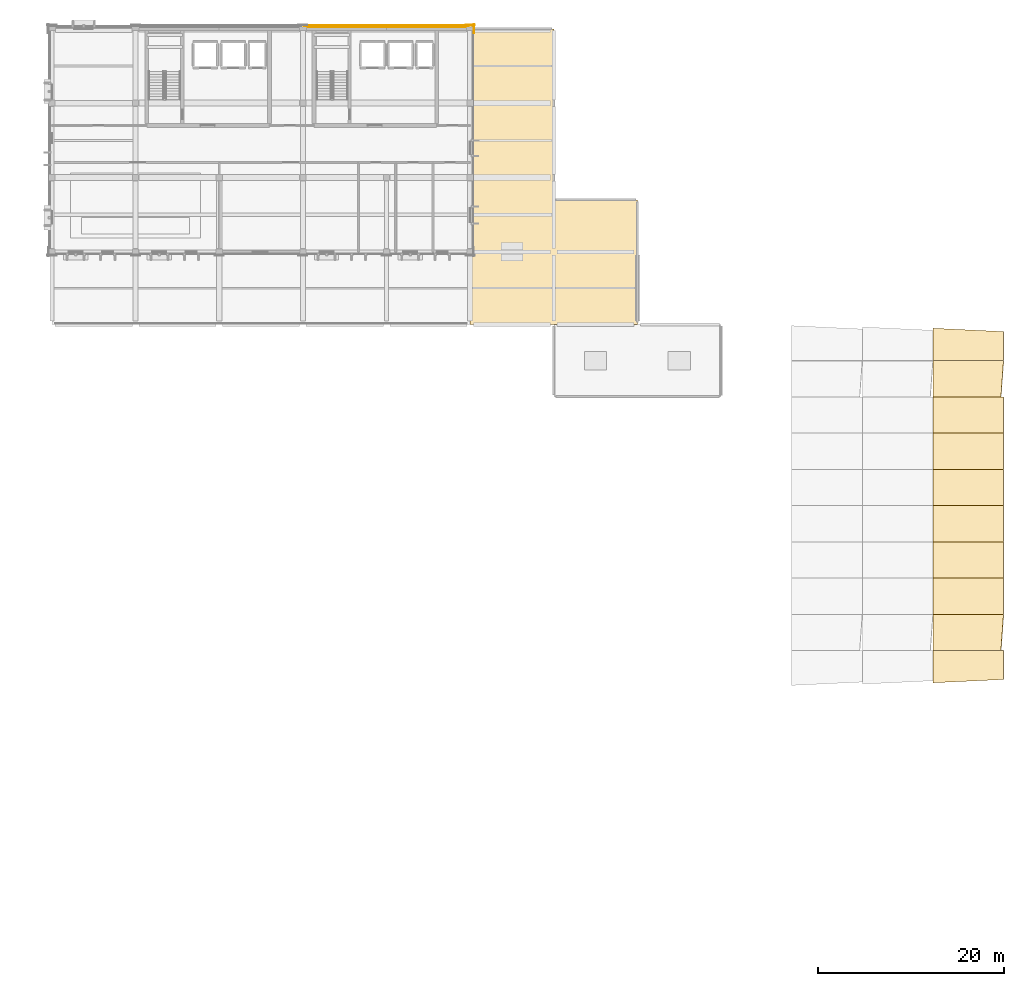
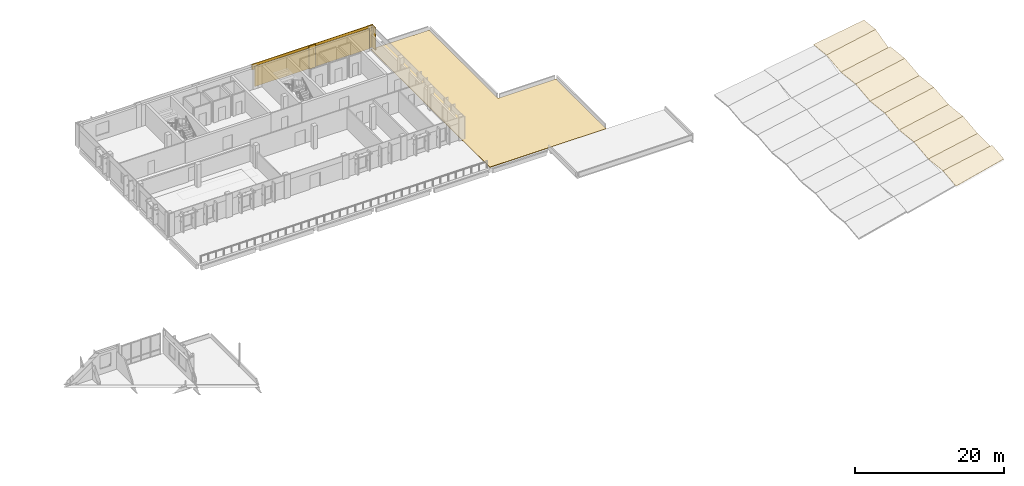
# One storey, part 23 of 23: 18 coverings.
"""IFC4 building model written with IfcOpenShell, lengths in metres."""

from ifc_helpers import new_model, si_unit, direction, frame, origin, origin_2d, place, context, subcontext, project, spatial, polyline, rectangle, outline, extrude, material, layer, layer_set, type_object, element, save


model = new_model("IFC4")

# Units and contexts
model_context = context("Model", 3, precision=1e-05, world=origin(), true_north=direction((0.0, 1.0)))
body_context = subcontext(model_context, "Body", "Model", "MODEL_VIEW")
ifc_project = project(units=[si_unit("LENGTHUNIT", "METRE"), si_unit("AREAUNIT", "SQUARE_METRE"), si_unit("VOLUMEUNIT", "CUBIC_METRE"), si_unit("PLANEANGLEUNIT", "RADIAN"), si_unit("MASSUNIT", "GRAM", prefix="KILO")], contexts=[model_context])

# Site, building, storey
site_placement = place(None, origin())
site = spatial("IfcSite", under=ifc_project, at=site_placement, CompositionType="ELEMENT")
building_placement = place(site_placement, origin())
building = spatial("IfcBuilding", under=site, at=building_placement, Name="Vervanel Yard Central Library", CompositionType="ELEMENT")
storey_placement = place(building_placement, frame((0.0, 0.0, 16.52001953125)))
storey = spatial("IfcBuildingStorey", under=building, at=storey_placement, Name="L04", CompositionType="ELEMENT", Elevation=16.52001953125)

# Coverings
ifc_material_1 = material(Name="Precast concrete C45/55", Category="concrete")
ifc_layer_1 = layer(ifc_material_1, 0.0849609375, Category="concrete")
ifc_layer_set_1 = layer_set([ifc_layer_1], Name="Precast concrete C45/55")
covering_type_1 = type_object("IfcCoveringType", Name="Bush-Hammered Precast Architectural Cladding Panel", PredefinedType="CLADDING", material=ifc_layer_set_1)
covering_1_placement = place(storey_placement, frame((67.5, 114.364990234375, 2.840087890625), z_axis=(0.0, 0.0, 1.0), x_axis=(1.0, 0.0, 0.0)))
element("IfcCovering", 1, at=covering_1_placement, inside=storey, type_object=covering_type_1, Name="L04 Precast Concrete Spandrel Cornice EWALL-L04-0063", PredefinedType="CLADDING", context=body_context, shape_type="SweptSolid", body=[
    extrude(rectangle(XDim=9.449951171875, YDim=0.0849609375, at=origin_2d()), origin(), (0.0, 0.0, 1.0), 0.919921875),
])
covering_2_placement = place(storey_placement, frame((72.0, 114.232421875, 0.0), z_axis=(0.0, 0.0, 1.0), x_axis=(1.0, 0.0, 0.0)))
element("IfcCovering", 2, at=covering_2_placement, inside=storey, type_object=covering_type_1, Name="L04 Precast Concrete Pier Pilaster EWALL-L04-0063-B", PredefinedType="CLADDING", context=body_context, shape_type="SweptSolid", body=[
    extrude(rectangle(XDim=0.97998046875, YDim=0.0849609375, at=origin_2d()), origin(), (0.0, 0.0, 1.0), 3.760009765625),
])
covering_3_placement = place(storey_placement, frame((67.5, 114.232421875, 0.080078125), z_axis=(0.0, 0.0, 1.0), x_axis=(1.0, 0.0, 0.0)))
element("IfcCovering", 3, at=covering_3_placement, inside=storey, type_object=covering_type_1, Name="L04 Bush-Hammered Precast Cladding EWALL-L04-0063", PredefinedType="CLADDING", context=body_context, shape_type="SweptSolid", body=[
    extrude(rectangle(XDim=8.699951171875, YDim=0.0849609375, at=origin_2d()), origin(), (0.0, 0.0, 1.0), 3.300048828125),
])
covering_4_placement = place(storey_placement, frame((76.5, 114.364990234375, 2.840087890625), z_axis=(0.0, 0.0, 1.0), x_axis=(1.0, 0.0, 0.0)))
element("IfcCovering", 4, at=covering_4_placement, inside=storey, type_object=covering_type_1, Name="L04 Precast Concrete Spandrel Cornice EWALL-L04-0064", PredefinedType="CLADDING", context=body_context, shape_type="SweptSolid", body=[
    extrude(rectangle(XDim=9.449951171875, YDim=0.0849609375, at=origin_2d()), origin(), (0.0, 0.0, 1.0), 0.919921875),
])
covering_5_placement = place(storey_placement, frame((81.0, 114.41748046875, 0.0), z_axis=(0.0, 0.0, 1.0), x_axis=(1.0, 0.0, 0.0)))
element("IfcCovering", 5, at=covering_5_placement, inside=storey, type_object=covering_type_1, Name="L04 Precast Concrete Pier Pilaster EWALL-L04-0064-B", PredefinedType="CLADDING", context=body_context, shape_type="SweptSolid", body=[
    extrude(rectangle(XDim=0.97998046875, YDim=0.0849609375, at=origin_2d()), origin(), (0.0, 0.0, 1.0), 3.760009765625),
])
covering_6_placement = place(storey_placement, frame((76.5, 114.232421875, 0.080078125), z_axis=(0.0, 0.0, 1.0), x_axis=(1.0, 0.0, 0.0)))
element("IfcCovering", 6, at=covering_6_placement, inside=storey, type_object=covering_type_1, Name="L04 Bush-Hammered Precast Cladding EWALL-L04-0064", PredefinedType="CLADDING", context=body_context, shape_type="SweptSolid", body=[
    extrude(rectangle(XDim=8.699951171875, YDim=0.0849609375, at=origin_2d()), origin(), (0.0, 0.0, 1.0), 3.300048828125),
])
covering_7_placement = place(storey_placement, frame((81.41748046875, 114.0, 0.0), z_axis=(0.0, 0.0, 1.0), x_axis=(0.0, 1.0, 0.0)))
element("IfcCovering", 7, at=covering_7_placement, inside=storey, type_object=covering_type_1, Name="L04 Precast Concrete Pier Pilaster EWALL-L04-0071-B", PredefinedType="CLADDING", context=body_context, shape_type="SweptSolid", body=[
    extrude(rectangle(XDim=0.97998046875, YDim=0.0849609375, at=origin_2d()), origin(), (0.0, 0.0, 1.0), 3.760009765625),
])
ifc_material_2 = material(Name="Standing-seam dark zinc-coated metal roofing", Category="metal")
ifc_layer_2 = layer(ifc_material_2, 0.06494140625, Category="metal")
ifc_layer_set_2 = layer_set([ifc_layer_2], Name="Standing-seam dark zinc-coated metal roofing")
covering_type_2 = type_object("IfcCoveringType", Name="Standing-Seam Dark Zinc Roof Assembly", PredefinedType="ROOFING", material=ifc_layer_set_2)
covering_8_placement = place(storey_placement, origin())
element("IfcCovering", 8, at=covering_8_placement, inside=storey, type_object=covering_type_2, Name="L04 Roof Covering ROOF-L04-V1E", PredefinedType="ROOFING", context=body_context, shape_type="SweptSolid", body=[
    extrude(outline(polyline([(81.0, 82.199951171875), (99.0, 82.199951171875), (99.0, 95.60009765625), (90.0, 95.60009765625), (90.0, 114.0), (81.0, 114.0), (81.0, 82.199951171875)])), origin(), (0.0, 0.0, 1.0), 0.06494140625),
])
covering_9_placement = place(storey_placement, frame((130.800048828125, 43.6201171875, 2.9462890625), z_axis=(-0.194578944377, -0.109361594123, 0.974771294272), x_axis=(0.978589149552, 0.046336942438, 0.20053968222)))
element("IfcCovering", 9, at=covering_9_placement, inside=storey, type_object=covering_type_2, Name="Standing-Seam Zinc Roofing V3-FS-B4-S01", PredefinedType="ROOFING", context=body_context, shape_type="SweptSolid", body=[
    extrude(outline(polyline([(0.0, 0.0), (7.766124248641188, 8.326672684688674e-17), (7.980909411888833, 3.1323420892909484), (0.23953850815000102, 3.4936059565170416), (0.0, 0.0)])), origin(), (0.0, 0.0, -1.0), 0.06494140625),
])
covering_10_placement = place(storey_placement, frame((130.800048828125, 47.10009765625, 3.336669921875), z_axis=(-0.194581294514, 0.10934495259, 0.974772692051), x_axis=(0.980652828841, 4.16256e-07, 0.195755023653)))
element("IfcCovering", 10, at=covering_10_placement, inside=storey, type_object=covering_type_2, Name="Standing-Seam Zinc Roofing V3-FS-B4-S02", PredefinedType="ROOFING", context=body_context, shape_type="SweptSolid", body=[
    extrude(outline(polyline([(0.0, 0.0), (7.464479390554649, 2.7755575615628914e-17), (7.664154607633423, 3.923424541234858), (-0.08564119949072557, 3.9234309124704962), (0.0, 0.0)])), origin(), (0.0, 0.0, -1.0), 0.06494140625),
])
covering_11_placement = place(storey_placement, frame((130.800048828125, 51.0, 2.899169921875), z_axis=(-0.194584736914, -0.109352072213, 0.974771206213), x_axis=(0.980652097773, 0.0, 0.19575868597)))
element("IfcCovering", 11, at=covering_11_placement, inside=storey, type_object=covering_type_2, Name="Standing-Seam Zinc Roofing V3-FS-B4-S03", PredefinedType="ROOFING", context=body_context, shape_type="SweptSolid", body=[
    extrude(outline(polyline([(0.0, 0.0), (7.749795807178863, 0.0), (7.835440232290786, 3.9234308421627606), (0.08564442511192301, 3.9234308421627606), (0.0, 0.0)])), origin(), (0.0, 0.0, -1.0), 0.06494140625),
])
covering_12_placement = place(storey_placement, frame((130.800048828125, 54.89990234375, 3.336669921875), z_axis=(-0.194584882564, 0.10934530886, 0.974771935843), x_axis=(0.980652097773, 0.0, 0.19575868597)))
element("IfcCovering", 12, at=covering_12_placement, inside=storey, type_object=covering_type_2, Name="Standing-Seam Zinc Roofing V3-FS-B4-S04", PredefinedType="ROOFING", context=body_context, shape_type="SweptSolid", body=[
    extrude(outline(polyline([(0.0, 0.0), (7.749795807178863, 0.0), (7.664151382066939, 3.923673518786944), (-0.08564442511192301, 3.923673518786944), (0.0, 0.0)])), origin(), (0.0, 0.0, -1.0), 0.06494140625),
])
covering_13_placement = place(storey_placement, frame((130.800048828125, 58.800048828125, 2.899169921875), z_axis=(-0.194584736914, -0.109352072213, 0.974771206213), x_axis=(0.980652097773, 0.0, 0.19575868597)))
element("IfcCovering", 13, at=covering_13_placement, inside=storey, type_object=covering_type_2, Name="Standing-Seam Zinc Roofing V3-FS-B4-S05", PredefinedType="ROOFING", context=body_context, shape_type="SweptSolid", body=[
    extrude(outline(polyline([(0.0, 0.0), (7.749795807178863, 0.0), (7.835440232290786, 3.9234308421627606), (0.08564442511192301, 3.9234308421627606), (0.0, 0.0)])), origin(), (0.0, 0.0, -1.0), 0.06494140625),
])
covering_14_placement = place(storey_placement, frame((130.800048828125, 62.699951171875, 3.336669921875), z_axis=(-0.194584882564, 0.10934530886, 0.974771935843), x_axis=(0.980652097773, 0.0, 0.19575868597)))
element("IfcCovering", 14, at=covering_14_placement, inside=storey, type_object=covering_type_2, Name="Standing-Seam Zinc Roofing V3-FS-B4-S06", PredefinedType="ROOFING", context=body_context, shape_type="SweptSolid", body=[
    extrude(outline(polyline([(0.0, 0.0), (7.749795807178863, 0.0), (7.664151382066939, 3.923673518786944), (-0.08564442511192301, 3.923673518786944), (0.0, 0.0)])), origin(), (0.0, 0.0, -1.0), 0.06494140625),
])
covering_15_placement = place(storey_placement, frame((130.800048828125, 66.60009765625, 2.899169921875), z_axis=(-0.194584736914, -0.109352072213, 0.974771206213), x_axis=(0.980652097773, 0.0, 0.19575868597)))
element("IfcCovering", 15, at=covering_15_placement, inside=storey, type_object=covering_type_2, Name="Standing-Seam Zinc Roofing V3-FS-B4-S07", PredefinedType="ROOFING", context=body_context, shape_type="SweptSolid", body=[
    extrude(outline(polyline([(0.0, 0.0), (7.749795807178863, 0.0), (7.835440232290786, 3.9234308421627606), (0.08564442511192301, 3.9234308421627606), (0.0, 0.0)])), origin(), (0.0, 0.0, -1.0), 0.06494140625),
])
covering_16_placement = place(storey_placement, frame((130.800048828125, 70.5, 3.336669921875), z_axis=(-0.194584736914, 0.109352072213, 0.974771206213), x_axis=(0.980652097773, 0.0, 0.19575868597)))
element("IfcCovering", 16, at=covering_16_placement, inside=storey, type_object=covering_type_2, Name="Standing-Seam Zinc Roofing V3-FS-B4-S08", PredefinedType="ROOFING", context=body_context, shape_type="SweptSolid", body=[
    extrude(outline(polyline([(0.0, 0.0), (7.749795807178863, 0.0), (7.664151382066939, 3.92343084216276), (-0.08564442511192301, 3.9234308421627606), (0.0, 0.0)])), origin(), (0.0, 0.0, -1.0), 0.06494140625),
])
covering_17_placement = place(storey_placement, frame((130.800048828125, 74.39990234375, 2.899169921875), z_axis=(-0.194581130106, -0.109352587144, 0.974771868435), x_axis=(0.980652828842, -4.16285e-07, 0.195755023647)))
element("IfcCovering", 17, at=covering_17_placement, inside=storey, type_object=covering_type_2, Name="Standing-Seam Zinc Roofing V3-FS-B4-S09", PredefinedType="ROOFING", context=body_context, shape_type="SweptSolid", body=[
    extrude(outline(polyline([(0.0, 0.0), (7.46447939055465, 2.7755575615628914e-17), (7.835437006398525, 3.9236799607755373), (0.0856411992743777, 3.9236735890950536), (0.0, 0.0)])), origin(), (0.0, 0.0, -1.0), 0.06494140625),
])
covering_18_placement = place(storey_placement, frame((130.800048828125, 78.300048828125, 3.336669921875), z_axis=(-0.194577075993, 0.109365630642, 0.974771214354), x_axis=(0.98065355991, -8.21805e-07, 0.19575136126)))
element("IfcCovering", 18, at=covering_18_placement, inside=storey, type_object=covering_type_2, Name="Standing-Seam Zinc Roofing V3-FS-B4-S10", PredefinedType="ROOFING", context=body_context, shape_type="SweptSolid", body=[
    extrude(outline(polyline([(0.0, 0.0), (7.749795806960067, 2.7755575615628914e-17), (7.681261150247007, 3.138706611801561), (-0.07642044449887876, 3.5009743201742), (0.0, 0.0)])), origin(), (0.0, 0.0, -1.0), 0.06494140625),
])

save(model, "model.ifc")
